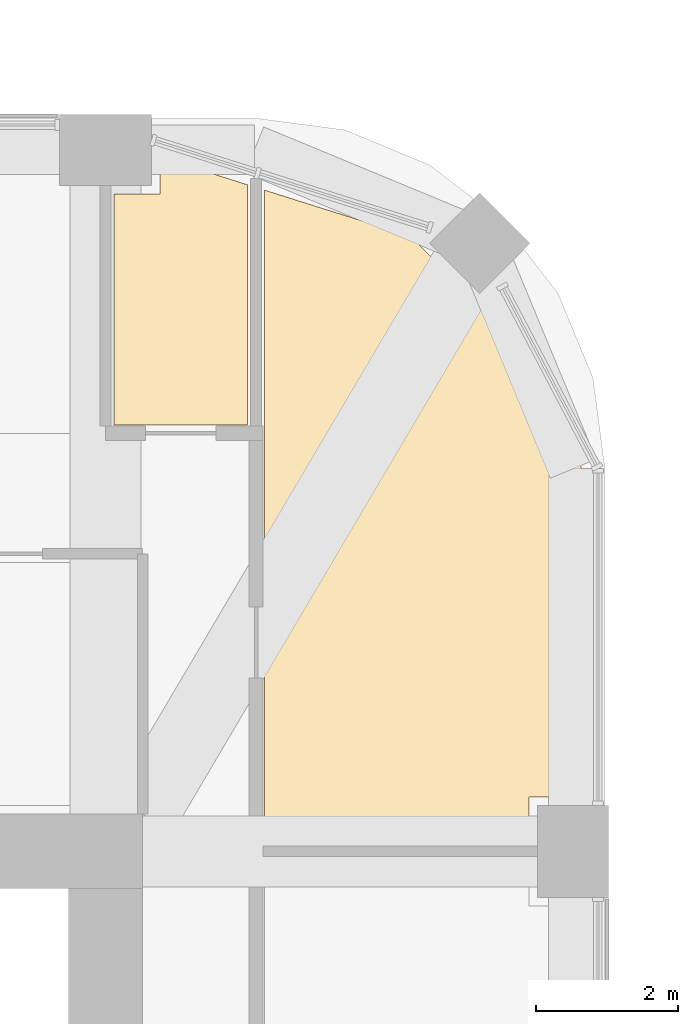
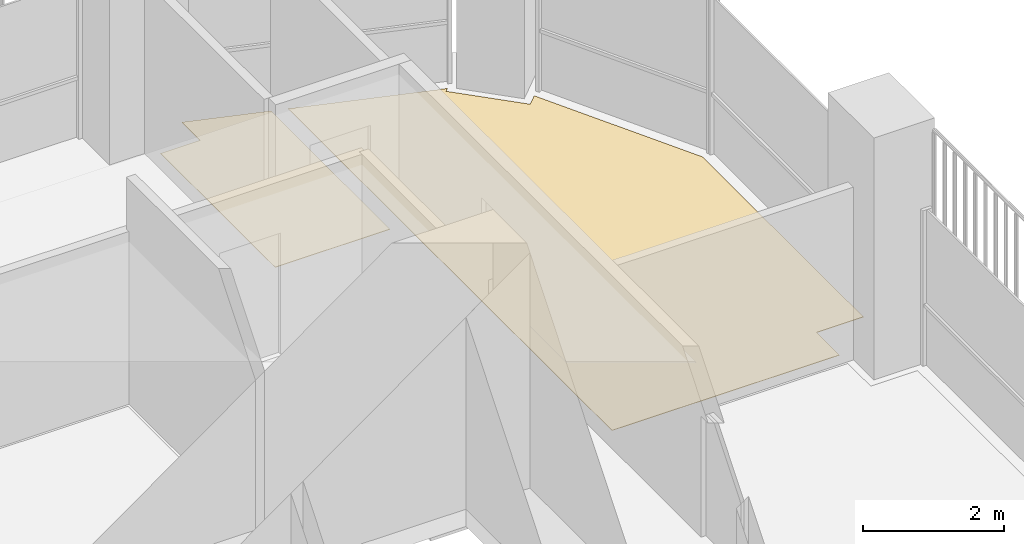
# One storey, part 19 of 20: 2 coverings.
"""IFC4 building model written with IfcOpenShell, lengths in metres."""

from ifc_helpers import new_model, si_unit, direction, frame, origin, place, context, subcontext, project, spatial, polyline, outline, extrude, material, layer, layer_set, type_object, element, save


model = new_model("IFC4")

# Units and contexts
model_context = context("Model", 3, precision=1e-05, world=origin(), true_north=direction((0.0, 1.0)))
body_context = subcontext(model_context, "Body", "Model", "MODEL_VIEW")
ifc_project = project(units=[si_unit("LENGTHUNIT", "METRE"), si_unit("AREAUNIT", "SQUARE_METRE"), si_unit("VOLUMEUNIT", "CUBIC_METRE"), si_unit("PLANEANGLEUNIT", "RADIAN"), si_unit("MASSUNIT", "GRAM", prefix="KILO")], contexts=[model_context])

# Site, building, storey
site_placement = place(None, origin())
site = spatial("IfcSite", under=ifc_project, at=site_placement, CompositionType="ELEMENT")
building_placement = place(site_placement, origin())
building = spatial("IfcBuilding", under=site, at=building_placement, Name="Cobogo Forest Laboratory Tower", CompositionType="ELEMENT")
storey_placement = place(building_placement, frame((0.0, 0.0, 246.0)))
storey = spatial("IfcBuildingStorey", under=building, at=storey_placement, Name="L56", CompositionType="ELEMENT", Elevation=246.0)

# Coverings
ifc_material = material(Name="Carpet tile on raised access floor", Category="flooring")
ifc_layer = layer(ifc_material, 0.008056640625)
ifc_layer_set = layer_set([ifc_layer], Name="CT1 carpet tile floor 8")
covering_type = type_object("IfcCoveringType", Name="CT1 carpet tile floor 8", PredefinedType="FLOORING", material=ifc_layer_set)
covering_1_placement = place(storey_placement, origin())
element("IfcCovering", 1, at=covering_1_placement, inside=storey, type_object=covering_type, Name="Carpet floor L56-16", PredefinedType="FLOORING", context=body_context, shape_type="SweptSolid", body=[
    extrude(outline(polyline([(41.844970703125, 42.331298828125), (44.05615234375, 41.633056640625), (44.005126953125, 41.58203125), (44.882080078125, 40.705078125), (45.035400390625, 40.858642578125), (46.35009765625, 38.350830078125), (46.35009765625, 33.77001953125), (45.580078125, 33.77001953125), (45.580078125, 33.1201171875), (41.844970703125, 33.1201171875), (41.844970703125, 42.331298828125)])), origin(), (0.0, 0.0, 1.0), 0.008056640625),
])
covering_2_placement = place(storey_placement, origin())
element("IfcCovering", 2, at=covering_2_placement, inside=storey, type_object=covering_type, Name="Carpet floor L56-22", PredefinedType="FLOORING", context=body_context, shape_type="SweptSolid", body=[
    extrude(outline(polyline([(39.719970703125, 39.02001953125), (39.719970703125, 42.280029296875), (40.3701171875, 42.280029296875), (40.3701171875, 42.797119140625), (41.60498046875, 42.406982421875), (41.60498046875, 39.02001953125), (39.719970703125, 39.02001953125)])), origin(), (0.0, 0.0, 1.0), 0.008056640625),
])

save(model, "model.ifc")
